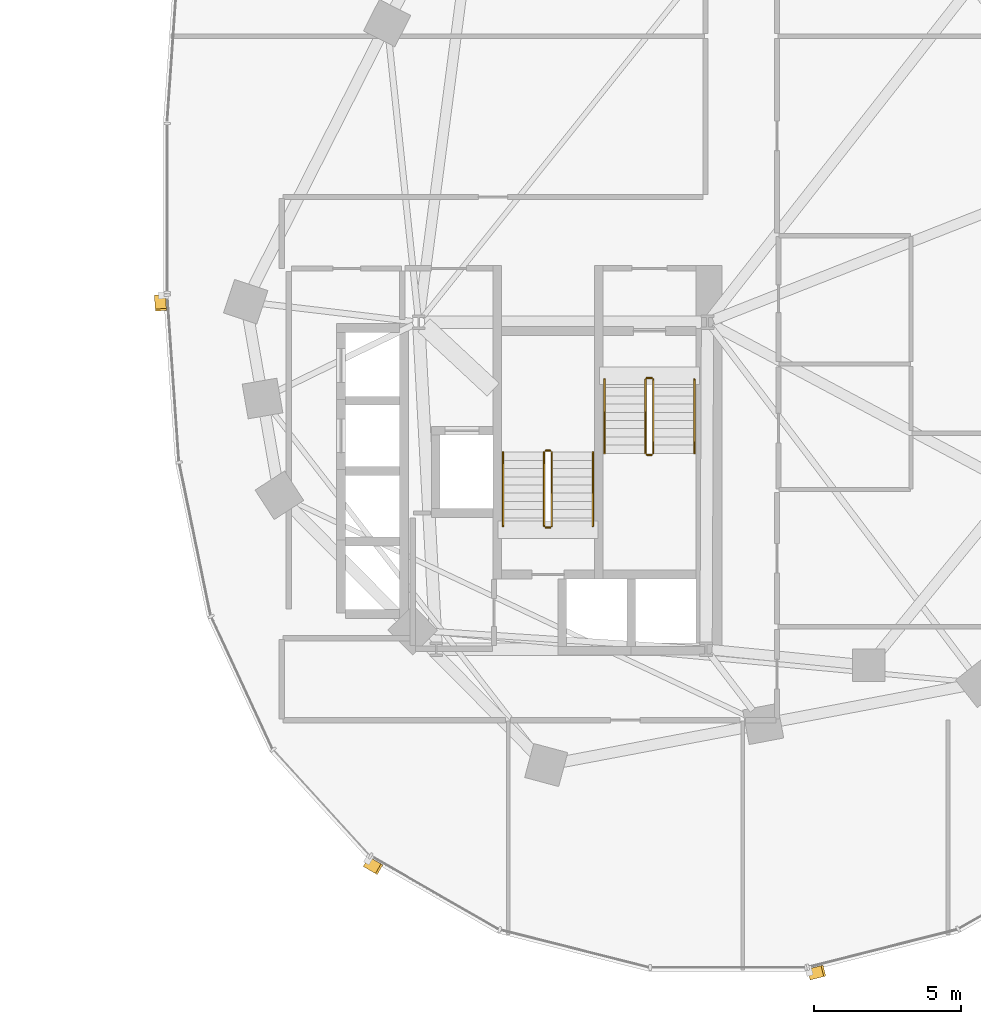
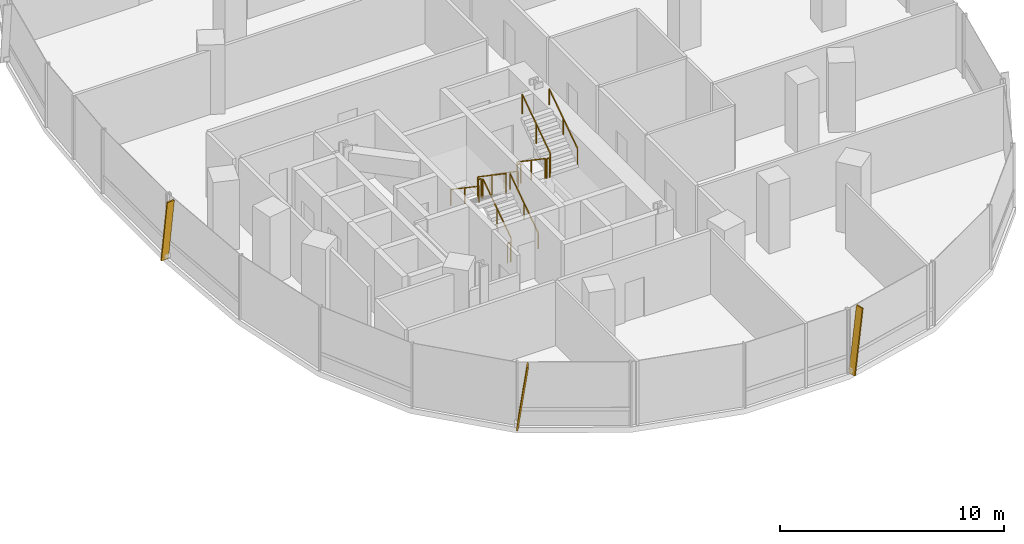
# One storey, part 20 of 21: 12 railings, 3 shading devices.
"""IFC4 building model written with IfcOpenShell, lengths in metres."""

import ifcopenshell
import ifcopenshell.guid

model = None  # the IFC model being written
_history = None  # IfcOwnerHistory: only IFC2X3 demands one
_inside = {}  # id of a spatial element -> (the spatial element, [elements in it])
_under = {}  # id of a project, library or spatial element -> (it, [spatial elements below it])
_declared = {}  # id of a project -> (the project, [libraries it declares])
_typed = {}  # id of a type object -> (the type object, [elements of that type])
_made_of = {}  # id of a material, layer set ... -> (it, [elements and type objects made of it])


def new_model(schema):
    """Start an empty IFC model of exactly this schema.

    Asked for "IFC4X3", IfcOpenShell would pick the latest addendum, in which some entities
    have other attributes; the version numbers below select the first issue.
    IFC2X3 requires an IfcOwnerHistory on every rooted entity: one is made here for all.
    """
    global model, _history
    if schema == "IFC4X3":
        model = ifcopenshell.file(schema_version=(4, 3, 0, 0))
    else:
        model = ifcopenshell.file(schema=schema)
    _inside.clear()
    _under.clear()
    _declared.clear()
    _typed.clear()
    _made_of.clear()
    _history = None
    if model.schema == "IFC2X3":
        org = make("IfcOrganization", Name="unknown")
        user = make(
            "IfcPersonAndOrganization",
            ThePerson=make("IfcPerson", FamilyName="unknown"),
            TheOrganization=org,
        )
        app = make(
            "IfcApplication",
            ApplicationDeveloper=org,
            Version="unknown",
            ApplicationFullName="unknown",
            ApplicationIdentifier="unknown",
        )
        _history = make(
            "IfcOwnerHistory",
            OwningUser=user,
            OwningApplication=app,
            ChangeAction="ADDED",
            CreationDate=0,
        )
    return model


def make(cls, **values):
    """One entity of the class cls with the attributes given. An attribute that is None is left unset."""
    return model.create_entity(
        cls, **{name: value for name, value in values.items() if value is not None}
    )


def rooted(cls, **values):
    """An entity with a GlobalId (a new one), such as an element, a storey or a relation."""
    return make(cls, GlobalId=ifcopenshell.guid.new(), OwnerHistory=_history, **values)


def si_unit(unit_type, name, prefix=None):
    """IfcSIUnit, for example si_unit("LENGTHUNIT", "METRE", prefix="MILLI")."""
    return make("IfcSIUnit", UnitType=unit_type, Prefix=prefix, Name=name)


def assignment(units):
    """IfcUnitAssignment: the units of a project."""
    return None if units is None else make("IfcUnitAssignment", Units=units)


def point(xyz):
    """IfcCartesianPoint."""
    return None if xyz is None else make("IfcCartesianPoint", Coordinates=xyz)


def direction(xyz):
    """IfcDirection."""
    return None if xyz is None else make("IfcDirection", DirectionRatios=xyz)


def frame(location, z_axis=None, x_axis=None):
    """IfcAxis2Placement3D, a coordinate frame: its origin and axes. An axis left out is left unset."""
    return make(
        "IfcAxis2Placement3D",
        Location=point(location),
        Axis=direction(z_axis),
        RefDirection=direction(x_axis),
    )


def frame_2d(location, x_axis=None):
    """IfcAxis2Placement2D, a coordinate frame in the plane: its origin and x axis."""
    return make(
        "IfcAxis2Placement2D", Location=point(location), RefDirection=direction(x_axis)
    )


def origin():
    """The frame at (0, 0, 0) with its axes left unset."""
    return frame((0.0, 0.0, 0.0))


def origin_2d():
    """The frame at (0, 0) in the plane with its x axis left unset."""
    return frame_2d((0.0, 0.0))


def place(relative_to, where):
    """IfcLocalPlacement: puts the frame where relative to a parent placement (None: the world)."""
    return make(
        "IfcLocalPlacement", PlacementRelTo=relative_to, RelativePlacement=where
    )


def context(
    kind, dimensions, precision=None, world=None, true_north=None, identifier=None
):
    """IfcGeometricRepresentationContext, for example the 3D "Model" context."""
    return make(
        "IfcGeometricRepresentationContext",
        ContextIdentifier=identifier,
        ContextType=kind,
        CoordinateSpaceDimension=dimensions,
        Precision=precision,
        WorldCoordinateSystem=world,
        TrueNorth=true_north,
    )


def subcontext(parent, identifier, kind, view, scale=None):
    """IfcGeometricRepresentationSubContext, for example "Body" below "Model"."""
    return make(
        "IfcGeometricRepresentationSubContext",
        ContextIdentifier=identifier,
        ContextType=kind,
        ParentContext=parent,
        TargetScale=scale,
        TargetView=view,
    )


def project(units=None, contexts=None):
    """IfcProject with its units and contexts."""
    return rooted(
        "IfcProject",
        Name="project",
        RepresentationContexts=contexts,
        UnitsInContext=assignment(units),
    )


def spatial(cls, under=None, at=None, **own):
    """A site, building, storey or space (cls), placed at a placement, below another one or the project."""
    s = rooted(cls, ObjectPlacement=at, **own)
    if under is not None:
        _under.setdefault(under.id(), (under, []))[1].append(s)
    return s


def profile(cls, at=None, kind="AREA", **sizes):
    """A parametric profile (cls). Its sizes go by their IFC names, for example OverallWidth=200.0."""
    return make(cls, ProfileType=kind, Position=at, **sizes)


def rectangle(**sizes):
    """IfcRectangleProfileDef."""
    return profile("IfcRectangleProfileDef", **sizes)


def extrude(swept, where, along, depth):
    """IfcExtrudedAreaSolid: the profile swept, set in the frame where, extruded along a direction by depth."""
    return make(
        "IfcExtrudedAreaSolid",
        SweptArea=swept,
        Position=where,
        ExtrudedDirection=direction(along),
        Depth=depth,
    )


def shape(context_of_items, identifier, shape_type, items):
    """IfcShapeRepresentation: the items that make up one representation, for example the "Body"."""
    return make(
        "IfcShapeRepresentation",
        ContextOfItems=context_of_items,
        RepresentationIdentifier=identifier,
        RepresentationType=shape_type,
        Items=items,
    )


def material(Name=None, Category=None):
    """IfcMaterial."""
    return make("IfcMaterial", Name=Name, Category=Category)


def material_profile(
    of_material, cross_section, Name=None, Category=None, Priority=None
):
    """IfcMaterialProfile: a cross section and its material."""
    return make(
        "IfcMaterialProfile",
        Name=Name,
        Material=of_material,
        Profile=cross_section,
        Priority=Priority,
        Category=Category,
    )


def profile_set(profiles, Name=None, composite=None):
    """IfcMaterialProfileSet."""
    return make(
        "IfcMaterialProfileSet",
        Name=Name,
        MaterialProfiles=profiles,
        CompositeProfile=composite,
    )


def made_of(thing, what):
    """Note that an element or type object is made of a material, layer set ...; save() writes the relation."""
    if what is not None:
        _made_of.setdefault(what.id(), (what, []))[1].append(thing)
    return thing


def type_object(cls, material=None, **own):
    """A type object (cls), such as IfcWallType, which elements share."""
    return made_of(rooted(cls, **own), material)


def element(
    cls,
    number,
    at=None,
    inside=None,
    cuts=None,
    type_object=None,
    material=None,
    context=None,
    identifier="Body",
    shape_type=None,
    held_by="IfcProductDefinitionShape",
    body=None,
    shapes=None,
    **own,
):
    """One element of the class cls, such as IfcWall. Its Tag is "e" and its number.

    at: its placement. inside: the storey or other place that contains it. cuts: it is an
    opening in that element (IfcRelVoidsElement). A single representation is given by context,
    identifier, shape_type and body (its items); several are given by shapes. held_by: the class
    of the entity that holds the representations. save() writes the other relations.
    """
    e = rooted(cls, Tag="e%d" % number, ObjectPlacement=at, **own)
    if body is not None:
        shapes = [shape(context, identifier, shape_type, body)]
    if shapes is not None:
        e.Representation = make(held_by, Representations=shapes)
    if inside is not None:
        _inside.setdefault(inside.id(), (inside, []))[1].append(e)
    if cuts is not None:
        rooted(
            "IfcRelVoidsElement", RelatingBuildingElement=cuts, RelatedOpeningElement=e
        )
    if type_object is not None:
        _typed.setdefault(type_object.id(), (type_object, []))[1].append(e)
    return made_of(e, material)


def aggregate(whole, parts):
    """IfcRelAggregates: a whole, such as a stair, and the parts it consists of."""
    return rooted("IfcRelAggregates", RelatingObject=whole, RelatedObjects=parts)


def save(model, path):
    """Write the relations noted so far, then the file.

    IfcRelAggregates (storeys below a building ...), IfcRelContainedInSpatialStructure (elements
    in a storey), IfcRelDefinesByType, IfcRelAssociatesMaterial and IfcRelDeclares: one each for
    every whole, place, type object, material and project.
    """
    for whole, parts in _under.values():
        aggregate(whole, parts)
    for where, things in _inside.values():
        rooted(
            "IfcRelContainedInSpatialStructure",
            RelatedElements=things,
            RelatingStructure=where,
        )
    for kind, things in _typed.values():
        rooted("IfcRelDefinesByType", RelatedObjects=things, RelatingType=kind)
    for what, things in _made_of.values():
        rooted("IfcRelAssociatesMaterial", RelatedObjects=things, RelatingMaterial=what)
    for by, libraries in _declared.values():
        rooted("IfcRelDeclares", RelatingContext=by, RelatedDefinitions=libraries)
    model.write(path)


model = new_model("IFC4")

# Units and contexts
model_context = context("Model", 3, precision=1e-05, world=origin(), true_north=direction((0.0, 1.0)))
body_context = subcontext(model_context, "Body", "Model", "MODEL_VIEW")
ifc_project = project(units=[si_unit("LENGTHUNIT", "METRE"), si_unit("AREAUNIT", "SQUARE_METRE"), si_unit("VOLUMEUNIT", "CUBIC_METRE"), si_unit("PLANEANGLEUNIT", "RADIAN"), si_unit("MASSUNIT", "GRAM", prefix="KILO"), si_unit("THERMODYNAMICTEMPERATUREUNIT", "KELVIN"), si_unit("POWERUNIT", "WATT")], contexts=[model_context])

# Site, building, storey
site_placement = place(None, origin())
site = spatial("IfcSite", under=ifc_project, at=site_placement, CompositionType="ELEMENT")
building_placement = place(site_placement, origin())
building = spatial("IfcBuilding", under=site, at=building_placement, Name="Cundina Bronze Exchange", CompositionType="ELEMENT")
storey_placement = place(building_placement, frame((0.0, 0.0, 65.800048828125)))
storey = spatial("IfcBuildingStorey", under=building, at=storey_placement, Name="L16", CompositionType="ELEMENT", Elevation=65.800048828125)

# Railings
ifc_material_1 = material(Name="Steel ASTM A36 Painted", Category="steel")
railing_type_1 = type_object("IfcRailingType", Name="RLG-HND-900", PredefinedType="HANDRAIL", material=ifc_material_1)
railing_1_placement = place(storey_placement, frame((27.7900390625, -5.85009765625, 0.18994140625)))
element("IfcRailing", 1, at=railing_1_placement, inside=storey, type_object=railing_type_1, Name="L16 ST-E1 stair handrail 1", PredefinedType="HANDRAIL", context=body_context, shape_type="SweptSolid", body=[
    extrude(rectangle(XDim=0.048095703125, YDim=0.048095703125, at=origin_2d()), frame((0.0, 0.0, 0.8759765625), z_axis=(0.0, -0.827483756001, 0.561489655786), x_axis=(1.0, 0.0, 0.0)), (0.0, 0.0, 1.0), 3.04541015625),
    extrude(rectangle(XDim=0.0419921875, YDim=0.0419921875, at=origin_2d()), origin(), (0.0, 0.0, 1.0), 0.851806640625),
    extrude(rectangle(XDim=0.0419921875, YDim=0.0419921875, at=origin_2d()), frame((0.0, -1.260009765625, 0.85498046875)), (0.0, 0.0, 1.0), 0.851806640625),
    extrude(rectangle(XDim=0.0419921875, YDim=0.0419921875, at=origin_2d()), frame((0.0, -2.52001953125, 1.7099609375)), (0.0, 0.0, 1.0), 0.851806640625),
])
railing_2_placement = place(storey_placement, frame((30.85009765625, -8.3701171875, 2.08984375)))
element("IfcRailing", 2, at=railing_2_placement, inside=storey, type_object=railing_type_1, Name="L16 ST-E1 stair handrail 2", PredefinedType="HANDRAIL", context=body_context, shape_type="SweptSolid", body=[
    extrude(rectangle(XDim=0.048095703125, YDim=0.048095703125, at=origin_2d()), frame((0.0, 0.0, 0.8759765625), z_axis=(0.0, 0.82744650838, 0.561544544778), x_axis=(-1.0, 0.0, 0.0)), (0.0, 0.0, 1.0), 3.045654296875),
    extrude(rectangle(XDim=0.0419921875, YDim=0.0419921875, at=origin_2d()), origin(), (0.0, 0.0, 1.0), 0.851806640625),
    extrude(rectangle(XDim=0.0419921875, YDim=0.0419921875, at=origin_2d()), frame((0.0, 1.260009765625, 0.85498046875)), (0.0, 0.0, 1.0), 0.851806640625),
    extrude(rectangle(XDim=0.0419921875, YDim=0.0419921875, at=origin_2d()), frame((0.0, 2.52001953125, 1.710205078125)), (0.0, 0.0, 1.0), 0.851806640625),
])
railing_3_placement = place(storey_placement, frame((27.389892578125, -10.85009765625, 0.18994140625)))
element("IfcRailing", 3, at=railing_3_placement, inside=storey, type_object=railing_type_1, Name="L16 ST-E2 stair handrail 1", PredefinedType="HANDRAIL", context=body_context, shape_type="SweptSolid", body=[
    extrude(rectangle(XDim=0.048095703125, YDim=0.048095703125, at=origin_2d()), frame((0.0, 0.0, 0.8759765625), z_axis=(0.0, 0.827483756001, 0.561489655786), x_axis=(-1.0, 0.0, 0.0)), (0.0, 0.0, 1.0), 3.04541015625),
    extrude(rectangle(XDim=0.0419921875, YDim=0.0419921875, at=origin_2d()), origin(), (0.0, 0.0, 1.0), 0.851806640625),
    extrude(rectangle(XDim=0.0419921875, YDim=0.0419921875, at=origin_2d()), frame((0.0, 1.260009765625, 0.85498046875)), (0.0, 0.0, 1.0), 0.851806640625),
    extrude(rectangle(XDim=0.0419921875, YDim=0.0419921875, at=origin_2d()), frame((0.0, 2.52001953125, 1.7099609375)), (0.0, 0.0, 1.0), 0.851806640625),
])
railing_4_placement = place(storey_placement, frame((24.330078125, -8.330078125, 2.08984375)))
element("IfcRailing", 4, at=railing_4_placement, inside=storey, type_object=railing_type_1, Name="L16 ST-E2 stair handrail 2", PredefinedType="HANDRAIL", context=body_context, shape_type="SweptSolid", body=[
    extrude(rectangle(XDim=0.048095703125, YDim=0.048095703125, at=origin_2d()), frame((0.0, 0.0, 0.8759765625), z_axis=(0.0, -0.82744650838, 0.561544544778), x_axis=(1.0, 0.0, 0.0)), (0.0, 0.0, 1.0), 3.045654296875),
    extrude(rectangle(XDim=0.0419921875, YDim=0.0419921875, at=origin_2d()), origin(), (0.0, 0.0, 1.0), 0.851806640625),
    extrude(rectangle(XDim=0.0419921875, YDim=0.0419921875, at=origin_2d()), frame((0.0, -1.260009765625, 0.85498046875)), (0.0, 0.0, 1.0), 0.851806640625),
    extrude(rectangle(XDim=0.0419921875, YDim=0.0419921875, at=origin_2d()), frame((0.0, -2.52001953125, 1.710205078125)), (0.0, 0.0, 1.0), 0.851806640625),
])
railing_type_2 = type_object("IfcRailingType", Name="RLG-STG-1100", PredefinedType="GUARDRAIL", material=ifc_material_1)
railing_5_placement = place(storey_placement, frame((29.18994140625, -5.85009765625, 0.18994140625)))
element("IfcRailing", 5, at=railing_5_placement, inside=storey, type_object=railing_type_2, Name="L16 ST-E1 stair guard 1", PredefinedType="GUARDRAIL", context=body_context, shape_type="SweptSolid", body=[
    extrude(rectangle(XDim=0.048095703125, YDim=0.048095703125, at=origin_2d()), frame((0.0, 0.0, 1.076171875), z_axis=(0.0, -0.827483756001, 0.561489655786), x_axis=(1.0, 0.0, 0.0)), (0.0, 0.0, 1.0), 3.04541015625),
    extrude(rectangle(XDim=0.0419921875, YDim=0.0419921875, at=origin_2d()), origin(), (0.0, 0.0, 1.0), 1.052001953125),
    extrude(rectangle(XDim=0.0419921875, YDim=0.0419921875, at=origin_2d()), frame((0.0, -1.260009765625, 0.85498046875)), (0.0, 0.0, 1.0), 1.052001953125),
    extrude(rectangle(XDim=0.0419921875, YDim=0.0419921875, at=origin_2d()), frame((0.0, -2.52001953125, 1.7099609375)), (0.0, 0.0, 1.0), 1.052001953125),
])
railing_6_placement = place(storey_placement, frame((29.239990234375, -8.419921875, 1.89990234375)))
element("IfcRailing", 6, at=railing_6_placement, inside=storey, type_object=railing_type_2, Name="L16 ST-E1 stair guard 2", PredefinedType="GUARDRAIL", context=body_context, shape_type="SweptSolid", body=[
    extrude(rectangle(XDim=0.048095703125, YDim=0.048095703125, at=origin_2d()), frame((0.0, 0.0, 1.076171875), z_axis=(1.0, 0.0, 0.0), x_axis=(0.0, 1.0, 0.0)), (0.0, 0.0, 1.0), 0.159912109375),
    extrude(rectangle(XDim=0.0419921875, YDim=0.0419921875, at=origin_2d()), origin(), (0.0, 0.0, 1.0), 1.052001953125),
    extrude(rectangle(XDim=0.0419921875, YDim=0.0419921875, at=origin_2d()), frame((0.159912109375, 0.0, 0.0)), (0.0, 0.0, 1.0), 1.052001953125),
])
railing_7_placement = place(storey_placement, frame((29.449951171875, -8.3701171875, 2.08984375)))
element("IfcRailing", 7, at=railing_7_placement, inside=storey, type_object=railing_type_2, Name="L16 ST-E1 stair guard 3", PredefinedType="GUARDRAIL", context=body_context, shape_type="SweptSolid", body=[
    extrude(rectangle(XDim=0.048095703125, YDim=0.048095703125, at=origin_2d()), frame((0.0, 0.0, 1.076171875), z_axis=(0.0, 0.82744650838, 0.561544544778), x_axis=(-1.0, 0.0, 0.0)), (0.0, 0.0, 1.0), 3.045654296875),
    extrude(rectangle(XDim=0.0419921875, YDim=0.0419921875, at=origin_2d()), origin(), (0.0, 0.0, 1.0), 1.052001953125),
    extrude(rectangle(XDim=0.0419921875, YDim=0.0419921875, at=origin_2d()), frame((0.0, 1.260009765625, 0.85498046875)), (0.0, 0.0, 1.0), 1.052001953125),
    extrude(rectangle(XDim=0.0419921875, YDim=0.0419921875, at=origin_2d()), frame((0.0, 2.52001953125, 1.710205078125)), (0.0, 0.0, 1.0), 1.052001953125),
])
railing_8_placement = place(storey_placement, frame((29.239990234375, -5.800048828125, 0.0)))
element("IfcRailing", 8, at=railing_8_placement, inside=storey, type_object=railing_type_2, Name="L16 ST-E1 stair guard 4", PredefinedType="GUARDRAIL", context=body_context, shape_type="SweptSolid", body=[
    extrude(rectangle(XDim=0.048095703125, YDim=0.048095703125, at=origin_2d()), frame((0.0, 0.0, 1.076171875), z_axis=(1.0, 0.0, 0.0), x_axis=(0.0, 1.0, 0.0)), (0.0, 0.0, 1.0), 0.159912109375),
    extrude(rectangle(XDim=0.0419921875, YDim=0.0419921875, at=origin_2d()), origin(), (0.0, 0.0, 1.0), 1.052001953125),
    extrude(rectangle(XDim=0.0419921875, YDim=0.0419921875, at=origin_2d()), frame((0.159912109375, 0.0, 0.0)), (0.0, 0.0, 1.0), 1.052001953125),
])
railing_9_placement = place(storey_placement, frame((25.989990234375, -10.85009765625, 0.18994140625)))
element("IfcRailing", 9, at=railing_9_placement, inside=storey, type_object=railing_type_2, Name="L16 ST-E2 stair guard 1", PredefinedType="GUARDRAIL", context=body_context, shape_type="SweptSolid", body=[
    extrude(rectangle(XDim=0.048095703125, YDim=0.048095703125, at=origin_2d()), frame((0.0, 0.0, 1.076171875), z_axis=(0.0, 0.827483756001, 0.561489655786), x_axis=(-1.0, 0.0, 0.0)), (0.0, 0.0, 1.0), 3.04541015625),
    extrude(rectangle(XDim=0.0419921875, YDim=0.0419921875, at=origin_2d()), origin(), (0.0, 0.0, 1.0), 1.052001953125),
    extrude(rectangle(XDim=0.0419921875, YDim=0.0419921875, at=origin_2d()), frame((0.0, 1.260009765625, 0.85498046875)), (0.0, 0.0, 1.0), 1.052001953125),
    extrude(rectangle(XDim=0.0419921875, YDim=0.0419921875, at=origin_2d()), frame((0.0, 2.52001953125, 1.7099609375)), (0.0, 0.0, 1.0), 1.052001953125),
])
railing_10_placement = place(storey_placement, frame((25.93994140625, -8.280029296875, 1.89990234375)))
element("IfcRailing", 10, at=railing_10_placement, inside=storey, type_object=railing_type_2, Name="L16 ST-E2 stair guard 2", PredefinedType="GUARDRAIL", context=body_context, shape_type="SweptSolid", body=[
    extrude(rectangle(XDim=0.048095703125, YDim=0.048095703125, at=origin_2d()), frame((0.0, 0.0, 1.076171875), z_axis=(-1.0, 0.0, 0.0), x_axis=(0.0, -1.0, 0.0)), (0.0, 0.0, 1.0), 0.159912109375),
    extrude(rectangle(XDim=0.0419921875, YDim=0.0419921875, at=origin_2d()), origin(), (0.0, 0.0, 1.0), 1.052001953125),
    extrude(rectangle(XDim=0.0419921875, YDim=0.0419921875, at=origin_2d()), frame((-0.159912109375, 0.0, 0.0)), (0.0, 0.0, 1.0), 1.052001953125),
])
railing_11_placement = place(storey_placement, frame((25.72998046875, -8.330078125, 2.08984375)))
element("IfcRailing", 11, at=railing_11_placement, inside=storey, type_object=railing_type_2, Name="L16 ST-E2 stair guard 3", PredefinedType="GUARDRAIL", context=body_context, shape_type="SweptSolid", body=[
    extrude(rectangle(XDim=0.048095703125, YDim=0.048095703125, at=origin_2d()), frame((0.0, 0.0, 1.076171875), z_axis=(0.0, -0.82744650838, 0.561544544778), x_axis=(1.0, 0.0, 0.0)), (0.0, 0.0, 1.0), 3.045654296875),
    extrude(rectangle(XDim=0.0419921875, YDim=0.0419921875, at=origin_2d()), origin(), (0.0, 0.0, 1.0), 1.052001953125),
    extrude(rectangle(XDim=0.0419921875, YDim=0.0419921875, at=origin_2d()), frame((0.0, -1.260009765625, 0.85498046875)), (0.0, 0.0, 1.0), 1.052001953125),
    extrude(rectangle(XDim=0.0419921875, YDim=0.0419921875, at=origin_2d()), frame((0.0, -2.52001953125, 1.710205078125)), (0.0, 0.0, 1.0), 1.052001953125),
])
railing_12_placement = place(storey_placement, frame((25.93994140625, -10.89990234375, 0.0)))
element("IfcRailing", 12, at=railing_12_placement, inside=storey, type_object=railing_type_2, Name="L16 ST-E2 stair guard 4", PredefinedType="GUARDRAIL", context=body_context, shape_type="SweptSolid", body=[
    extrude(rectangle(XDim=0.048095703125, YDim=0.048095703125, at=origin_2d()), frame((0.0, 0.0, 1.076171875), z_axis=(-1.0, 0.0, 0.0), x_axis=(0.0, -1.0, 0.0)), (0.0, 0.0, 1.0), 0.159912109375),
    extrude(rectangle(XDim=0.0419921875, YDim=0.0419921875, at=origin_2d()), origin(), (0.0, 0.0, 1.0), 1.052001953125),
    extrude(rectangle(XDim=0.0419921875, YDim=0.0419921875, at=origin_2d()), frame((-0.159912109375, 0.0, 0.0)), (0.0, 0.0, 1.0), 1.052001953125),
])

# Shading devices
ifc_material_2 = material(Name="Anodised Bronze Aluminium 6063-T6", Category="aluminium")
ifc_material_profile = material_profile(ifc_material_2, rectangle(XDim=0.070068359375, YDim=0.3798828125, at=origin_2d()), Name="FIN70X380", Category="aluminium")
ifc_profile_set = profile_set([ifc_material_profile], Name="Anodised Bronze Aluminium 6063-T6")
shading_device_type = type_object("IfcShadingDeviceType", Name="SHD-FIN-BRZ380", PredefinedType="USERDEFINED", material=ifc_profile_set)
for number, where, z_axis, x_axis, name in (
    (13, (12.6259765625, -2.993896484375, 0.02001953125), (0.009645159174, -0.137059109714, 0.990515911709), (-0.06953288269, 0.988072340253, 0.137398066402), "L16 Diagonal Bronze Solar Fin 1"),
    (14, (19.685791015625, -22.314208984375, 0.02001953125), (0.119166378275, -0.06842456559, 0.990513731915), (-0.85898178632, 0.493221799887, 0.137413779831), "L16 Diagonal Bronze Solar Fin 5"),
    (15, (34.787353515625, -26.138427734375, 0.02001953125), (0.133214830938, 0.033688115694, 0.990514472221), (-0.960284642503, -0.242842181368, 0.137408443412), "L16 Diagonal Bronze Solar Fin 1"),
):
    element("IfcShadingDevice", number, at=place(storey_placement, frame(where, z_axis=z_axis, x_axis=x_axis)), inside=storey, type_object=shading_device_type, Name=name, ObjectType="FIN", PredefinedType="USERDEFINED", context=body_context, shape_type="SweptSolid", body=[
        extrude(rectangle(XDim=0.070068359375, YDim=0.3798828125, at=origin_2d()), origin(), (0.0, 0.0, 1.0), 3.4931640625),
    ])

save(model, "model.ifc")
